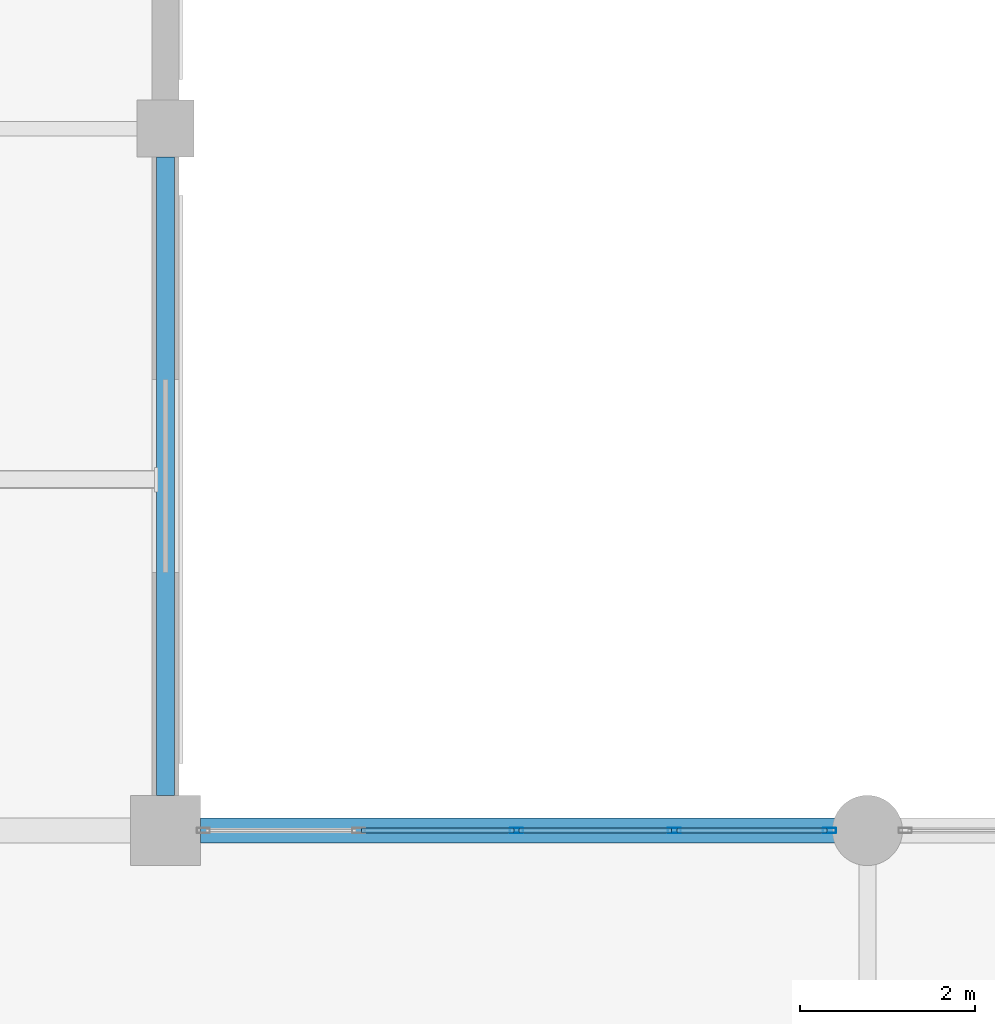
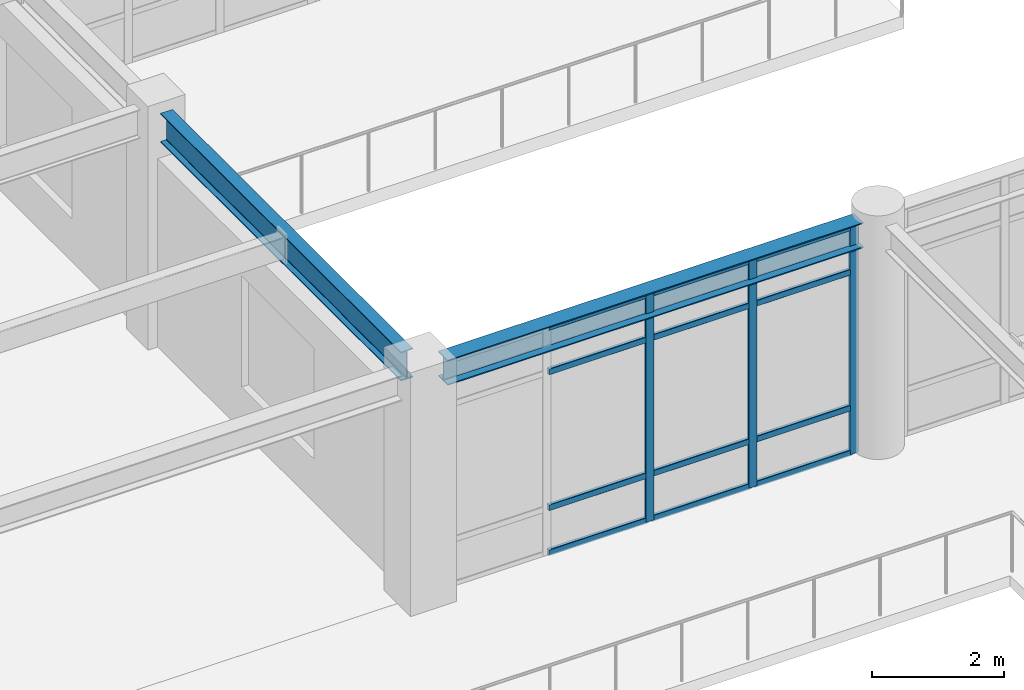
# One storey, part 40 of 93: 15 members, 2 beams, 1 element without a shape of its own.
"""IFC4 building model written with IfcOpenShell, lengths in metres."""

from ifc_helpers import new_model, si_unit, direction, frame, origin, origin_2d, place, context, subcontext, project, spatial, hollow_rectangle, i_section, extrude, material, material_profile, profile_set, type_object, element, aggregate, save


model = new_model("IFC4")

# Units and contexts
model_context = context("Model", 3, precision=1e-05, world=origin(), true_north=direction((0.0, 1.0)))
body_context = subcontext(model_context, "Body", "Model", "MODEL_VIEW")
ifc_project = project(units=[si_unit("LENGTHUNIT", "METRE"), si_unit("AREAUNIT", "SQUARE_METRE"), si_unit("VOLUMEUNIT", "CUBIC_METRE"), si_unit("PLANEANGLEUNIT", "RADIAN"), si_unit("MASSUNIT", "GRAM", prefix="KILO")], contexts=[model_context])

# Site, building, storey
site_placement = place(None, origin())
site = spatial("IfcSite", under=ifc_project, at=site_placement, CompositionType="ELEMENT")
building_placement = place(site_placement, origin())
building = spatial("IfcBuilding", under=site, at=building_placement, Name="Solmirada Galleria", CompositionType="ELEMENT")
storey_placement = place(building_placement, frame((0.0, 0.0, 14.89990234375)))
storey = spatial("IfcBuildingStorey", under=building, at=storey_placement, Name="L03", CompositionType="ELEMENT", Elevation=14.89990234375)

# Beams
ifc_material_1 = material(Name="Steel S355 / ASTM A992 Grade 50", Category="steel")
ifc_material_profile_1 = material_profile(ifc_material_1, i_section(OverallWidth=0.281982421875, OverallDepth=0.467041015625, WebThickness=0.01220703125, FlangeThickness=0.01953125, FilletRadius=0.013916015625, at=origin_2d()), Name="W18X86")
ifc_profile_set_1 = profile_set([ifc_material_profile_1], Name="Steel S355 / ASTM A992 Grade 50")
beam_type_1 = type_object("IfcBeamType", Name="BM-GIRD-W18A", PredefinedType="BEAM", material=ifc_profile_set_1)
beam_1_placement = place(storey_placement, frame((96.39990234375, 72.0, 4.066650390625), z_axis=(1.0, 0.0, 0.0), x_axis=(0.0, 1.0, 0.0)))
element("IfcBeam", 1, at=beam_1_placement, inside=storey, type_object=beam_type_1, Name="Primary beam L04 X(96..104, 72)", PredefinedType="BEAM", context=body_context, shape_type="SweptSolid", body=[
    extrude(i_section(OverallWidth=0.281982421875, OverallDepth=0.467041015625, WebThickness=0.01220703125, FlangeThickness=0.01953125, FilletRadius=0.013916015625, at=origin_2d()), origin(), (0.0, 0.0, 1.0), 7.26416015625),
])
ifc_material_profile_2 = material_profile(ifc_material_1, i_section(OverallWidth=0.2099609375, OverallDepth=0.537109375, WebThickness=0.010986328125, FlangeThickness=0.017333984375, FilletRadius=0.014892578125, at=origin_2d()), Name="W21X68")
ifc_profile_set_2 = profile_set([ifc_material_profile_2], Name="Steel S355 / ASTM A992 Grade 50")
beam_type_2 = type_object("IfcBeamType", Name="BM-GIRD-W21B", PredefinedType="BEAM", material=ifc_profile_set_2)
beam_2_placement = place(storey_placement, frame((96.0, 72.39990234375, 4.031494140625), z_axis=(0.0, 1.0, 0.0), x_axis=(-1.0, 0.0, 0.0)))
element("IfcBeam", 2, at=beam_2_placement, inside=storey, type_object=beam_type_2, Name="Primary girder L04 Y(96, 72..80)", PredefinedType="BEAM", context=body_context, shape_type="SweptSolid", body=[
    extrude(i_section(OverallWidth=0.2099609375, OverallDepth=0.537109375, WebThickness=0.010986328125, FlangeThickness=0.017333984375, FilletRadius=0.014892578125, at=origin_2d()), origin(), (0.0, 0.0, 1.0), 7.275146484375),
])

# Curtain wall, members
ifc_material_2 = material(Name="Impact-resistant low-E double glazing", Category="glass")
curtain_wall_type = type_object("IfcCurtainWallType", Name="CW-FZ3-L03-B4-L072", PredefinedType="NOTDEFINED", material=ifc_material_2)
curtain_wall_placement = place(storey_placement, origin())
curtain_wall = element("IfcCurtainWall", 3, at=curtain_wall_placement, inside=storey, type_object=curtain_wall_type, Name="Terrace and arcade storefront CW-L03-129", PredefinedType="NOTDEFINED")
ifc_material_3 = material(Name="Anodised aluminium framing", Category="aluminium")
ifc_material_profile_3 = material_profile(ifc_material_3, hollow_rectangle(XDim=0.06005859375, YDim=0.14990234375, WallThickness=0.00341796875, InnerFilletRadius=0.00341796875, OuterFilletRadius=0.007080078125, at=origin_2d()), Name="ALU-MULL-150X60")
ifc_profile_set_3 = profile_set([ifc_material_profile_3], Name="Anodised aluminium framing")
member_type_1 = type_object("IfcMemberType", Name="CW-MULL-150", PredefinedType="MULLION", material=ifc_profile_set_3)
member_1_placement = place(storey_placement, frame((100.0, 72.0, 0.0), z_axis=(0.0, 0.0, 1.0), x_axis=(0.0, 1.0, 0.0)))
member_1 = element("IfcMember", 4, at=member_1_placement, type_object=member_type_1, Name="CW27 mullion 3", PredefinedType="MULLION", context=body_context, shape_type="SweptSolid", body=[
    extrude(hollow_rectangle(XDim=0.06005859375, YDim=0.14990234375, WallThickness=0.00341796875, InnerFilletRadius=0.00341796875, OuterFilletRadius=0.007080078125, at=origin_2d()), origin(), (0.0, 0.0, 1.0), 4.22021484375),
])
member_2_placement = place(storey_placement, frame((101.799072265625, 72.0, 0.0), z_axis=(0.0, 0.0, 1.0), x_axis=(0.0, 1.0, 0.0)))
member_2 = element("IfcMember", 5, at=member_2_placement, type_object=member_type_1, Name="CW27 mullion 4", PredefinedType="MULLION", context=body_context, shape_type="SweptSolid", body=[
    extrude(hollow_rectangle(XDim=0.06005859375, YDim=0.14990234375, WallThickness=0.00341796875, InnerFilletRadius=0.00341796875, OuterFilletRadius=0.007080078125, at=origin_2d()), origin(), (0.0, 0.0, 1.0), 4.22021484375),
])
member_3_placement = place(storey_placement, frame((103.568115234375, 72.0, 0.0), z_axis=(0.0, 0.0, 1.0), x_axis=(0.0, 1.0, 0.0)))
member_3 = element("IfcMember", 6, at=member_3_placement, type_object=member_type_1, Name="CW27 mullion 5", PredefinedType="MULLION", context=body_context, shape_type="SweptSolid", body=[
    extrude(hollow_rectangle(XDim=0.06005859375, YDim=0.14990234375, WallThickness=0.00341796875, InnerFilletRadius=0.00341796875, OuterFilletRadius=0.007080078125, at=origin_2d()), origin(), (0.0, 0.0, 1.0), 4.22021484375),
])
ifc_material_profile_4 = material_profile(ifc_material_3, hollow_rectangle(XDim=0.06005859375, YDim=0.110107421875, WallThickness=0.003173828125, InnerFilletRadius=0.003173828125, OuterFilletRadius=0.00634765625, at=origin_2d()), Name="ALU-TRAN-110X60")
ifc_profile_set_4 = profile_set([ifc_material_profile_4], Name="Anodised aluminium framing")
member_type_2 = type_object("IfcMemberType", Name="CW-TRAN-110", PredefinedType="USERDEFINED", material=ifc_profile_set_4)
member_4_placement = place(storey_placement, frame((98.23095703125, 72.0, 0.030029296875), z_axis=(1.0, 0.0, 0.0), x_axis=(0.0, 1.0, 0.0)))
member_4 = element("IfcMember", 7, at=member_4_placement, type_object=member_type_2, Name="CW27 transom 2.1", ObjectType="TRANSOM", PredefinedType="USERDEFINED", context=body_context, shape_type="SweptSolid", body=[
    extrude(hollow_rectangle(XDim=0.06005859375, YDim=0.110107421875, WallThickness=0.003173828125, InnerFilletRadius=0.003173828125, OuterFilletRadius=0.00634765625, at=origin_2d()), origin(), (0.0, 0.0, 1.0), 1.739013671875),
])
member_5_placement = place(storey_placement, frame((98.23095703125, 72.0, 0.860107421875), z_axis=(1.0, 0.0, 0.0), x_axis=(0.0, 1.0, 0.0)))
member_5 = element("IfcMember", 8, at=member_5_placement, type_object=member_type_2, Name="CW27 transom 2.2", ObjectType="TRANSOM", PredefinedType="USERDEFINED", context=body_context, shape_type="SweptSolid", body=[
    extrude(hollow_rectangle(XDim=0.06005859375, YDim=0.110107421875, WallThickness=0.003173828125, InnerFilletRadius=0.003173828125, OuterFilletRadius=0.00634765625, at=origin_2d()), origin(), (0.0, 0.0, 1.0), 1.739013671875),
])
member_6_placement = place(storey_placement, frame((98.23095703125, 72.0, 3.3701171875), z_axis=(1.0, 0.0, 0.0), x_axis=(0.0, 1.0, 0.0)))
member_6 = element("IfcMember", 9, at=member_6_placement, type_object=member_type_2, Name="CW27 transom 2.3", ObjectType="TRANSOM", PredefinedType="USERDEFINED", context=body_context, shape_type="SweptSolid", body=[
    extrude(hollow_rectangle(XDim=0.06005859375, YDim=0.110107421875, WallThickness=0.003173828125, InnerFilletRadius=0.003173828125, OuterFilletRadius=0.00634765625, at=origin_2d()), origin(), (0.0, 0.0, 1.0), 1.739013671875),
])
member_7_placement = place(storey_placement, frame((98.23095703125, 72.0, 4.190185546875), z_axis=(1.0, 0.0, 0.0), x_axis=(0.0, 1.0, 0.0)))
member_7 = element("IfcMember", 10, at=member_7_placement, type_object=member_type_2, Name="CW27 transom 2.4", ObjectType="TRANSOM", PredefinedType="USERDEFINED", context=body_context, shape_type="SweptSolid", body=[
    extrude(hollow_rectangle(XDim=0.06005859375, YDim=0.110107421875, WallThickness=0.003173828125, InnerFilletRadius=0.003173828125, OuterFilletRadius=0.00634765625, at=origin_2d()), origin(), (0.0, 0.0, 1.0), 1.739013671875),
])
member_8_placement = place(storey_placement, frame((100.030029296875, 72.0, 0.030029296875), z_axis=(1.0, 0.0, 0.0), x_axis=(0.0, 1.0, 0.0)))
member_8 = element("IfcMember", 11, at=member_8_placement, type_object=member_type_2, Name="CW27 transom 3.1", ObjectType="TRANSOM", PredefinedType="USERDEFINED", context=body_context, shape_type="SweptSolid", body=[
    extrude(hollow_rectangle(XDim=0.06005859375, YDim=0.110107421875, WallThickness=0.003173828125, InnerFilletRadius=0.003173828125, OuterFilletRadius=0.00634765625, at=origin_2d()), origin(), (0.0, 0.0, 1.0), 1.739013671875),
])
member_9_placement = place(storey_placement, frame((100.030029296875, 72.0, 0.860107421875), z_axis=(1.0, 0.0, 0.0), x_axis=(0.0, 1.0, 0.0)))
member_9 = element("IfcMember", 12, at=member_9_placement, type_object=member_type_2, Name="CW27 transom 3.2", ObjectType="TRANSOM", PredefinedType="USERDEFINED", context=body_context, shape_type="SweptSolid", body=[
    extrude(hollow_rectangle(XDim=0.06005859375, YDim=0.110107421875, WallThickness=0.003173828125, InnerFilletRadius=0.003173828125, OuterFilletRadius=0.00634765625, at=origin_2d()), origin(), (0.0, 0.0, 1.0), 1.739013671875),
])
member_10_placement = place(storey_placement, frame((100.030029296875, 72.0, 3.3701171875), z_axis=(1.0, 0.0, 0.0), x_axis=(0.0, 1.0, 0.0)))
member_10 = element("IfcMember", 13, at=member_10_placement, type_object=member_type_2, Name="CW27 transom 3.3", ObjectType="TRANSOM", PredefinedType="USERDEFINED", context=body_context, shape_type="SweptSolid", body=[
    extrude(hollow_rectangle(XDim=0.06005859375, YDim=0.110107421875, WallThickness=0.003173828125, InnerFilletRadius=0.003173828125, OuterFilletRadius=0.00634765625, at=origin_2d()), origin(), (0.0, 0.0, 1.0), 1.739013671875),
])
member_11_placement = place(storey_placement, frame((100.030029296875, 72.0, 4.190185546875), z_axis=(1.0, 0.0, 0.0), x_axis=(0.0, 1.0, 0.0)))
member_11 = element("IfcMember", 14, at=member_11_placement, type_object=member_type_2, Name="CW27 transom 3.4", ObjectType="TRANSOM", PredefinedType="USERDEFINED", context=body_context, shape_type="SweptSolid", body=[
    extrude(hollow_rectangle(XDim=0.06005859375, YDim=0.110107421875, WallThickness=0.003173828125, InnerFilletRadius=0.003173828125, OuterFilletRadius=0.00634765625, at=origin_2d()), origin(), (0.0, 0.0, 1.0), 1.739013671875),
])
member_12_placement = place(storey_placement, frame((101.8291015625, 72.0, 0.030029296875), z_axis=(1.0, 0.0, 0.0), x_axis=(0.0, 1.0, 0.0)))
member_12 = element("IfcMember", 15, at=member_12_placement, type_object=member_type_2, Name="CW27 transom 4.1", ObjectType="TRANSOM", PredefinedType="USERDEFINED", context=body_context, shape_type="SweptSolid", body=[
    extrude(hollow_rectangle(XDim=0.06005859375, YDim=0.110107421875, WallThickness=0.003173828125, InnerFilletRadius=0.003173828125, OuterFilletRadius=0.00634765625, at=origin_2d()), origin(), (0.0, 0.0, 1.0), 1.708984375),
])
member_13_placement = place(storey_placement, frame((101.8291015625, 72.0, 0.860107421875), z_axis=(1.0, 0.0, 0.0), x_axis=(0.0, 1.0, 0.0)))
member_13 = element("IfcMember", 16, at=member_13_placement, type_object=member_type_2, Name="CW27 transom 4.2", ObjectType="TRANSOM", PredefinedType="USERDEFINED", context=body_context, shape_type="SweptSolid", body=[
    extrude(hollow_rectangle(XDim=0.06005859375, YDim=0.110107421875, WallThickness=0.003173828125, InnerFilletRadius=0.003173828125, OuterFilletRadius=0.00634765625, at=origin_2d()), origin(), (0.0, 0.0, 1.0), 1.708984375),
])
member_14_placement = place(storey_placement, frame((101.8291015625, 72.0, 3.3701171875), z_axis=(1.0, 0.0, 0.0), x_axis=(0.0, 1.0, 0.0)))
member_14 = element("IfcMember", 17, at=member_14_placement, type_object=member_type_2, Name="CW27 transom 4.3", ObjectType="TRANSOM", PredefinedType="USERDEFINED", context=body_context, shape_type="SweptSolid", body=[
    extrude(hollow_rectangle(XDim=0.06005859375, YDim=0.110107421875, WallThickness=0.003173828125, InnerFilletRadius=0.003173828125, OuterFilletRadius=0.00634765625, at=origin_2d()), origin(), (0.0, 0.0, 1.0), 1.708984375),
])
member_15_placement = place(storey_placement, frame((101.8291015625, 72.0, 4.190185546875), z_axis=(1.0, 0.0, 0.0), x_axis=(0.0, 1.0, 0.0)))
member_15 = element("IfcMember", 18, at=member_15_placement, type_object=member_type_2, Name="CW27 transom 4.4", ObjectType="TRANSOM", PredefinedType="USERDEFINED", context=body_context, shape_type="SweptSolid", body=[
    extrude(hollow_rectangle(XDim=0.06005859375, YDim=0.110107421875, WallThickness=0.003173828125, InnerFilletRadius=0.003173828125, OuterFilletRadius=0.00634765625, at=origin_2d()), origin(), (0.0, 0.0, 1.0), 1.708984375),
])
aggregate(curtain_wall, [member_1, member_2, member_3, member_4, member_5, member_6, member_7, member_8, member_9, member_10, member_11, member_12, member_13, member_14, member_15])

save(model, "model.ifc")
